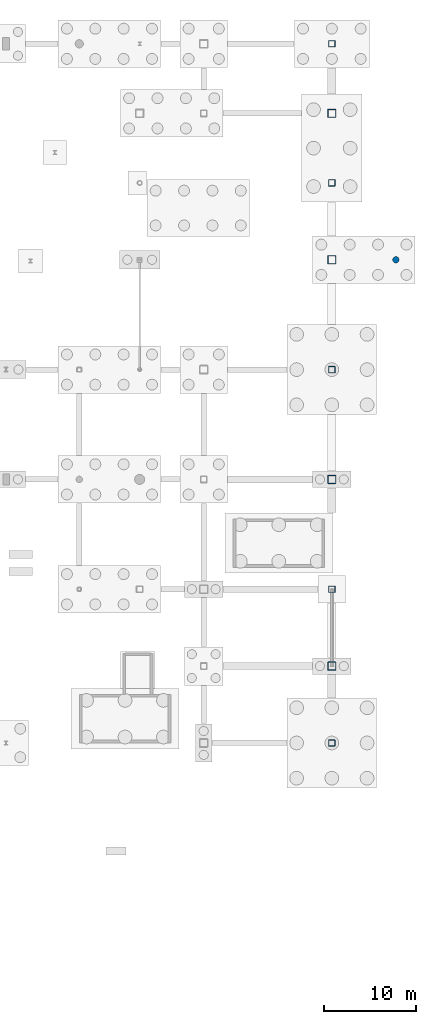
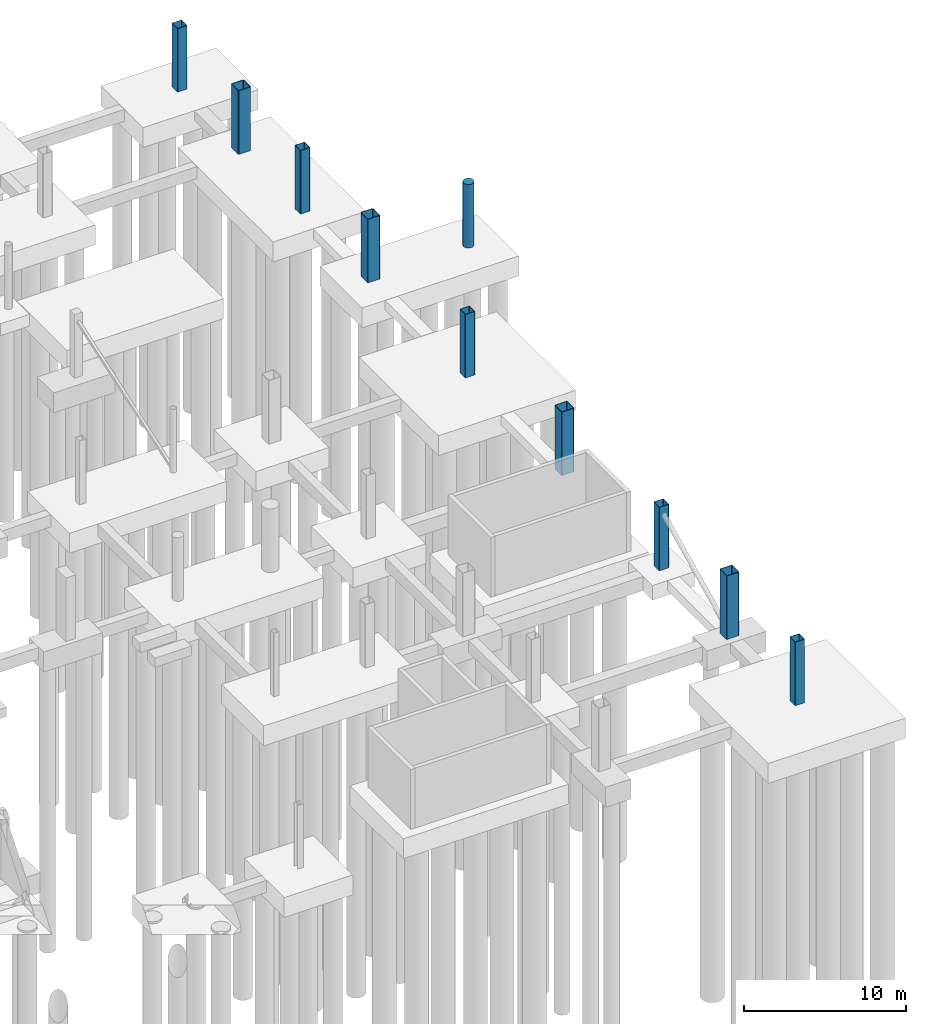
# One storey, part 17 of 34: 10 columns.
"""IFC4 building model written with IfcOpenShell, lengths in metres."""

from ifc_helpers import new_model, si_unit, direction, frame, origin, origin_2d, place, context, subcontext, project, spatial, hollow_rectangle, circle, extrude, material, material_profile, profile_set, type_object, element, save


model = new_model("IFC4")

# Units and contexts
model_context = context("Model", 3, precision=1e-05, world=origin(), true_north=direction((0.0, 1.0)))
body_context = subcontext(model_context, "Body", "Model", "MODEL_VIEW")
ifc_project = project(units=[si_unit("LENGTHUNIT", "METRE"), si_unit("AREAUNIT", "SQUARE_METRE"), si_unit("VOLUMEUNIT", "CUBIC_METRE"), si_unit("PLANEANGLEUNIT", "RADIAN"), si_unit("MASSUNIT", "GRAM", prefix="KILO")], contexts=[model_context])

# Site, building, storey
site_placement = place(None, origin())
site = spatial("IfcSite", under=ifc_project, at=site_placement, CompositionType="ELEMENT")
building_placement = place(site_placement, origin())
building = spatial("IfcBuilding", under=site, at=building_placement, Name="Larkvane Passage Sports Hall", CompositionType="ELEMENT")
storey_placement = place(building_placement, frame((0.0, 0.0, -4.800048828125)))
storey = spatial("IfcBuildingStorey", under=building, at=storey_placement, Name="B01", CompositionType="ELEMENT", Elevation=-4.800048828125)

# Columns
ifc_material_1 = material(Name="Concrete C40/50", Category="concrete")
ifc_material_profile_1 = material_profile(ifc_material_1, circle(Radius=0.35009765625, at=origin_2d()), Name="RC-CIR-700")
ifc_profile_set_1 = profile_set([ifc_material_profile_1], Name="Concrete C40/50")
column_type_1 = type_object("IfcColumnType", Name="COL-CIR-700", PredefinedType="COLUMN", material=ifc_profile_set_1)
column_placement = place(storey_placement, frame((152.60009765625, 75.60009765625, 0.0), z_axis=(0.0, 0.0, 1.0), x_axis=(1.0, 0.0, 0.0)))
element("IfcColumn", 1, at=column_placement, inside=storey, type_object=column_type_1, Name="Column 20/J B01", PredefinedType="COLUMN", context=body_context, shape_type="SweptSolid", body=[
    extrude(circle(Radius=0.35009765625, at=origin_2d()), origin(), (0.0, 0.0, 1.0), 4.800048828125),
])
ifc_material_2 = material(Name="Steel S460N", Category="steel")
ifc_material_profile_2 = material_profile(ifc_material_2, hollow_rectangle(XDim=0.699951171875, YDim=0.699951171875, WallThickness=0.028076171875, InnerFilletRadius=0.028076171875, OuterFilletRadius=0.055908203125, at=origin_2d()), Name="BOX-700x700x28")
ifc_profile_set_2 = profile_set([ifc_material_profile_2], Name="Steel S460N")
column_type_2 = type_object("IfcColumnType", Name="COL-STL-BOX700", PredefinedType="COLUMN", material=ifc_profile_set_2)
for number, where, z_axis, x_axis, name in (
    (2, (145.60009765625, 22.800048828125, 0.0), (0.0, 0.0, 1.0), (1.0, 0.0, 0.0), "Column 19/D B01"),
    (3, (145.60009765625, 39.60009765625, 0.0), (0.0, 0.0, 1.0), (1.0, 0.0, 0.0), "Column 19/F B01"),
    (4, (145.60009765625, 63.60009765625, 0.0), (0.0, 0.0, 1.0), (1.0, 0.0, 0.0), "Column 19/H B01"),
    (5, (145.60009765625, 84.0, 0.0), (0.0, 0.0, 1.0), (1.0, 0.0, 0.0), "Column 19/K B01"),
    (6, (145.60009765625, 99.199951171875, 0.0), (0.0, 0.0, 1.0), (1.0, 0.0, 0.0), "Column 19/M B01"),
):
    element("IfcColumn", number, at=place(storey_placement, frame(where, z_axis=z_axis, x_axis=x_axis)), inside=storey, type_object=column_type_2, Name=name, PredefinedType="COLUMN", context=body_context, shape_type="SweptSolid", body=[
        extrude(hollow_rectangle(XDim=0.699951171875, YDim=0.699951171875, WallThickness=0.028076171875, InnerFilletRadius=0.028076171875, OuterFilletRadius=0.055908203125, at=origin_2d()), origin(), (0.0, 0.0, 1.0), 4.800048828125),
    ])
ifc_material_profile_3 = material_profile(ifc_material_2, hollow_rectangle(XDim=0.89990234375, YDim=0.89990234375, WallThickness=0.035888671875, InnerFilletRadius=0.035888671875, OuterFilletRadius=0.072021484375, at=origin_2d()), Name="BOX-900x900x36")
ifc_profile_set_3 = profile_set([ifc_material_profile_3], Name="Steel S460N")
column_type_3 = type_object("IfcColumnType", Name="COL-STL-BOX900", PredefinedType="COLUMN", material=ifc_profile_set_3)
for number, where, z_axis, x_axis, name in (
    (7, (145.60009765625, 31.199951171875, 0.0), (0.0, 0.0, 1.0), (1.0, 0.0, 0.0), "Column 19/E B01"),
    (8, (145.60009765625, 51.60009765625, 0.0), (0.0, 0.0, 1.0), (1.0, 0.0, 0.0), "Column 19/G B01"),
    (9, (145.60009765625, 75.60009765625, 0.0), (0.0, 0.0, 1.0), (1.0, 0.0, 0.0), "Column 19/J B01"),
    (10, (145.60009765625, 91.60009765625, 0.0), (0.0, 0.0, 1.0), (1.0, 0.0, 0.0), "Column 19/L B01"),
):
    element("IfcColumn", number, at=place(storey_placement, frame(where, z_axis=z_axis, x_axis=x_axis)), inside=storey, type_object=column_type_3, Name=name, PredefinedType="COLUMN", context=body_context, shape_type="SweptSolid", body=[
        extrude(hollow_rectangle(XDim=0.89990234375, YDim=0.89990234375, WallThickness=0.035888671875, InnerFilletRadius=0.035888671875, OuterFilletRadius=0.072021484375, at=origin_2d()), origin(), (0.0, 0.0, 1.0), 4.800048828125),
    ])

save(model, "model.ifc")
